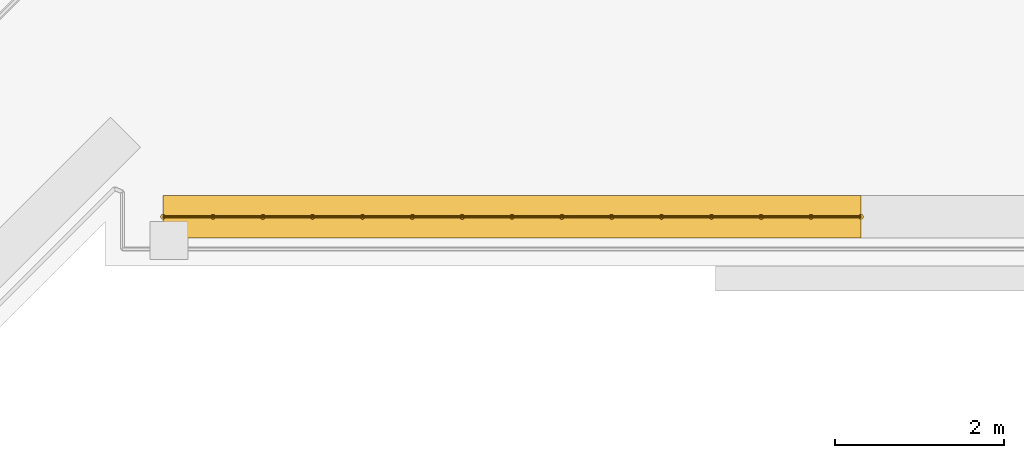
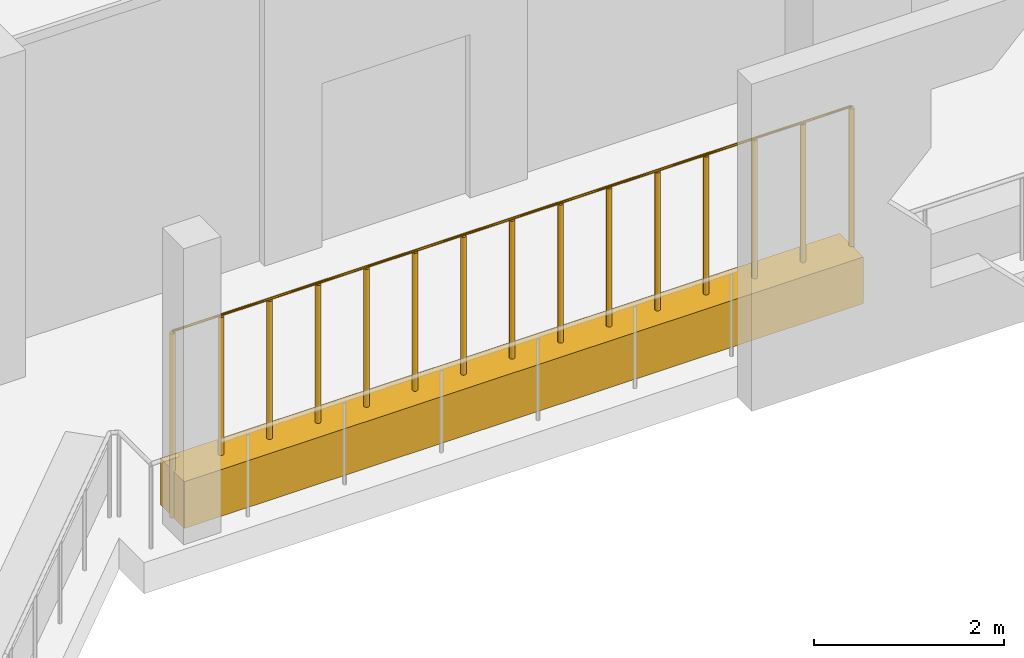
# One storey, part 24 of 28: 1 covering, 1 railing.
"""IFC4 building model written with IfcOpenShell, lengths in metres."""

from ifc_helpers import new_model, si_unit, direction, frame, origin, origin_2d, place, context, subcontext, project, spatial, rectangle, circle, extrude, material, material_profile, profile_set, type_object, element, save


model = new_model("IFC4")

# Units and contexts
model_context = context("Model", 3, precision=1e-05, world=origin(), true_north=direction((0.0, 1.0)))
body_context = subcontext(model_context, "Body", "Model", "MODEL_VIEW")
ifc_project = project(units=[si_unit("LENGTHUNIT", "METRE"), si_unit("AREAUNIT", "SQUARE_METRE"), si_unit("VOLUMEUNIT", "CUBIC_METRE"), si_unit("PLANEANGLEUNIT", "RADIAN"), si_unit("MASSUNIT", "GRAM", prefix="KILO")], contexts=[model_context])

# Site, building, storey
site_placement = place(None, origin())
site = spatial("IfcSite", under=ifc_project, at=site_placement, CompositionType="ELEMENT")
building_placement = place(site_placement, origin())
building = spatial("IfcBuilding", under=site, at=building_placement, Name="Kawkab Arch Medical Tower", CompositionType="ELEMENT")
storey_placement = place(building_placement, frame((0.0, 0.0, 72.800048828125)))
storey = spatial("IfcBuildingStorey", under=building, at=storey_placement, Name="L16", CompositionType="ELEMENT", Elevation=72.800048828125)

# Covering
ifc_material_1 = material(Name="Planting soil in a precast trough", Category="concrete")
ifc_material_profile = material_profile(ifc_material_1, rectangle(XDim=0.5, YDim=0.60009765625, at=origin_2d()), Name="Trough 500x600")
ifc_profile_set = profile_set([ifc_material_profile], Name="Planting soil in a precast trough")
covering_type = type_object("IfcCoveringType", Name="Planter trough 500 x 600", PredefinedType="USERDEFINED", material=ifc_profile_set)
covering_placement = place(storey_placement, frame((40.126953125, -28.820068359375, 0.300048828125), z_axis=(-1.0, 0.0, 0.0), x_axis=(0.0, -1.0, 0.0)))
element("IfcCovering", 1, at=covering_placement, inside=storey, type_object=covering_type, Name="Planter L16.LOG-01-01.41", ObjectType="PLANTER", PredefinedType="USERDEFINED", context=body_context, shape_type="SweptSolid", body=[
    extrude(rectangle(XDim=0.5, YDim=0.60009765625, at=origin_2d()), origin(), (0.0, 0.0, 1.0), 8.2470703125),
])

# Railing
ifc_material_2 = material(Name="Bronze anodised aluminium trellis for climbing plants", Category="aluminium")
railing_type = type_object("IfcRailingType", Name="Planting trellis 2400", PredefinedType="USERDEFINED", material=ifc_material_2)
railing_placement = place(storey_placement, frame((40.126953125, -28.820068359375, 0.0)))
element("IfcRailing", 2, at=railing_placement, inside=storey, type_object=railing_type, Name="Planting trellis L16.LOG-01-01.41", ObjectType="TRELLIS", PredefinedType="USERDEFINED", context=body_context, shape_type="SweptSolid", body=[
    extrude(circle(Radius=0.01513671875, at=origin_2d()), frame((0.0, 0.0, 2.384765625), z_axis=(-1.0, 0.0, 0.0), x_axis=(0.0, -1.0, 0.0)), (0.0, 0.0, 1.0), 8.2470703125),
    extrude(circle(Radius=0.030029296875, at=origin_2d()), origin(), (0.0, 0.0, 1.0), 2.369873046875),
    extrude(circle(Radius=0.030029296875, at=origin_2d()), frame((-0.589111328125, 0.0, 0.0)), (0.0, 0.0, 1.0), 2.369873046875),
    extrude(circle(Radius=0.030029296875, at=origin_2d()), frame((-1.17822265625, 0.0, 0.0)), (0.0, 0.0, 1.0), 2.369873046875),
    extrude(circle(Radius=0.030029296875, at=origin_2d()), frame((-1.767333984375, 0.0, 0.0)), (0.0, 0.0, 1.0), 2.369873046875),
    extrude(circle(Radius=0.030029296875, at=origin_2d()), frame((-2.356201171875, 0.0, 0.0)), (0.0, 0.0, 1.0), 2.369873046875),
    extrude(circle(Radius=0.030029296875, at=origin_2d()), frame((-2.9453125, 0.0, 0.0)), (0.0, 0.0, 1.0), 2.369873046875),
    extrude(circle(Radius=0.030029296875, at=origin_2d()), frame((-3.534423828125, 0.0, 0.0)), (0.0, 0.0, 1.0), 2.369873046875),
    extrude(circle(Radius=0.030029296875, at=origin_2d()), frame((-4.12353515625, 0.0, 0.0)), (0.0, 0.0, 1.0), 2.369873046875),
    extrude(circle(Radius=0.030029296875, at=origin_2d()), frame((-4.712646484375, 0.0, 0.0)), (0.0, 0.0, 1.0), 2.369873046875),
    extrude(circle(Radius=0.030029296875, at=origin_2d()), frame((-5.3017578125, 0.0, 0.0)), (0.0, 0.0, 1.0), 2.369873046875),
    extrude(circle(Radius=0.030029296875, at=origin_2d()), frame((-5.890869140625, 0.0, 0.0)), (0.0, 0.0, 1.0), 2.369873046875),
    extrude(circle(Radius=0.030029296875, at=origin_2d()), frame((-6.479736328125, 0.0, 0.0)), (0.0, 0.0, 1.0), 2.369873046875),
    extrude(circle(Radius=0.030029296875, at=origin_2d()), frame((-7.06884765625, 0.0, 0.0)), (0.0, 0.0, 1.0), 2.369873046875),
    extrude(circle(Radius=0.030029296875, at=origin_2d()), frame((-7.657958984375, 0.0, 0.0)), (0.0, 0.0, 1.0), 2.369873046875),
    extrude(circle(Radius=0.030029296875, at=origin_2d()), frame((-8.2470703125, 0.0, 0.0)), (0.0, 0.0, 1.0), 2.369873046875),
])

save(model, "model.ifc")
